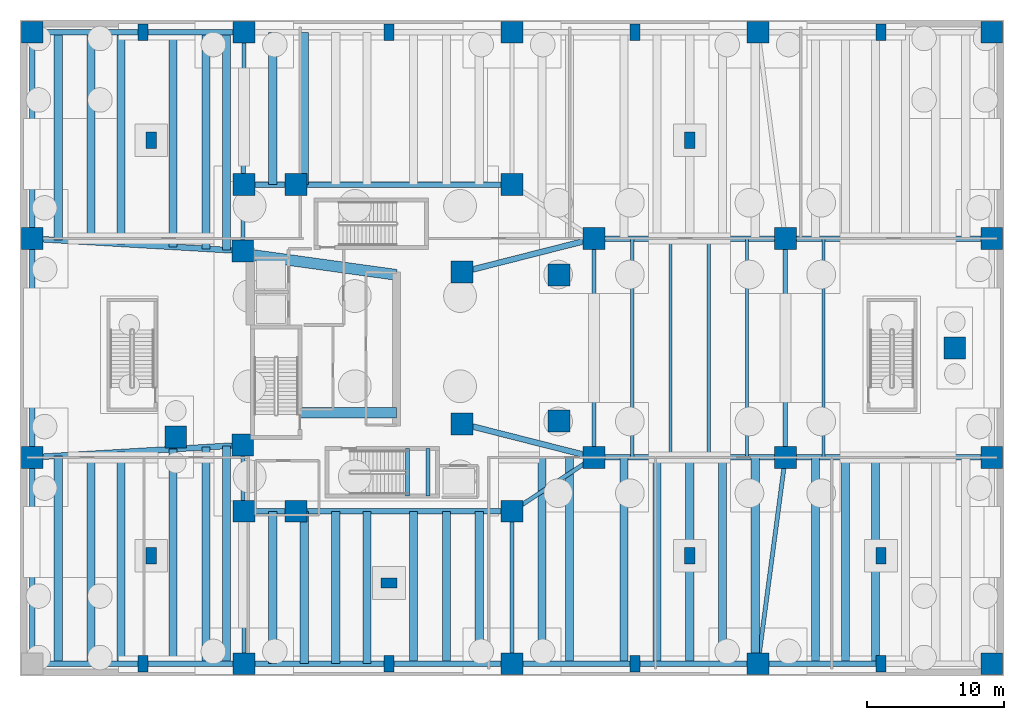
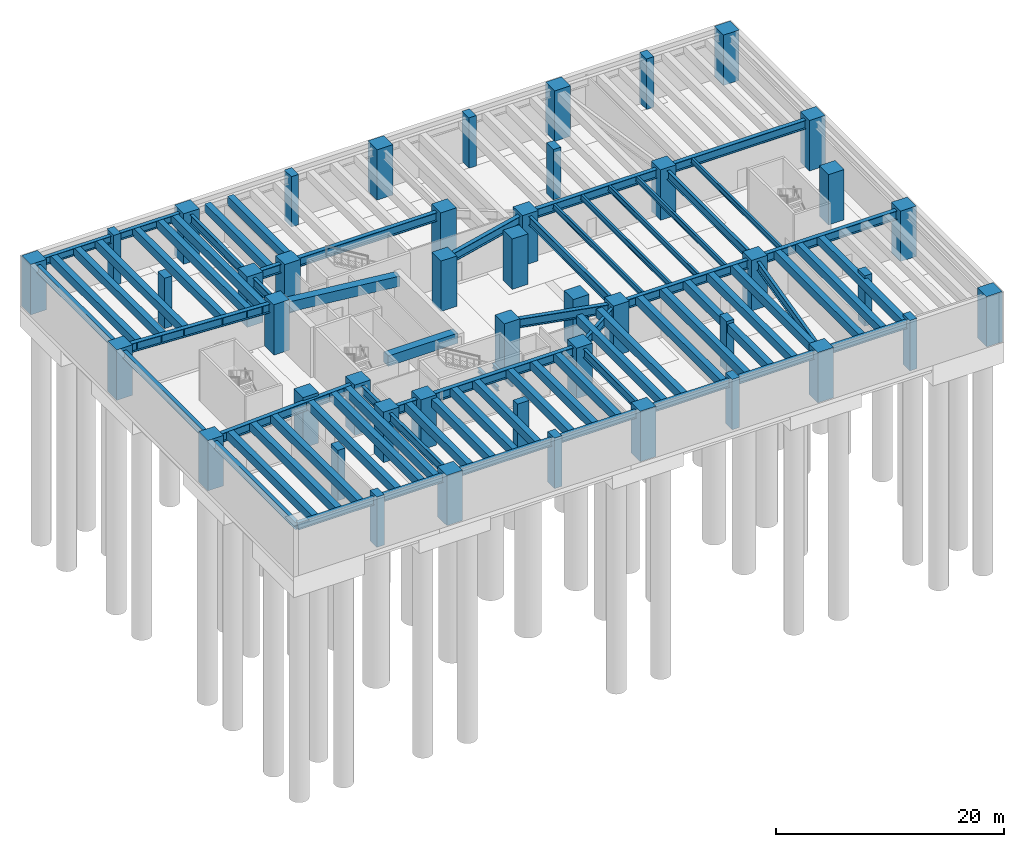
# One storey, part 2 of 10: 69 beams, 45 columns.
"""IFC4 building model written with IfcOpenShell, lengths in metres."""

from ifc_helpers import new_model, si_unit, direction, frame, origin, origin_2d, place, context, subcontext, project, spatial, rectangle, i_section, extrude, material, material_profile, profile_set, type_object, element, save


model = new_model("IFC4")

# Units and contexts
model_context = context("Model", 3, precision=1e-05, world=origin(), true_north=direction((0.0, 1.0)))
body_context = subcontext(model_context, "Body", "Model", "MODEL_VIEW")
ifc_project = project(units=[si_unit("LENGTHUNIT", "METRE"), si_unit("AREAUNIT", "SQUARE_METRE"), si_unit("VOLUMEUNIT", "CUBIC_METRE"), si_unit("PLANEANGLEUNIT", "RADIAN"), si_unit("MASSUNIT", "GRAM", prefix="KILO"), si_unit("THERMODYNAMICTEMPERATUREUNIT", "KELVIN"), si_unit("POWERUNIT", "WATT")], contexts=[model_context])

# Site, building, storey
site_placement = place(None, origin())
site = spatial("IfcSite", under=ifc_project, at=site_placement, CompositionType="ELEMENT")
building_placement = place(site_placement, origin())
building = spatial("IfcBuilding", under=site, at=building_placement, Name="Skarre Station Tower", CompositionType="ELEMENT")
storey_placement = place(building_placement, frame((0.0, 0.0, -10.199951171875)))
storey = spatial("IfcBuildingStorey", under=building, at=storey_placement, Name="B02", CompositionType="ELEMENT", Elevation=-10.199951171875)

# Columns
ifc_material_1 = material(Name="Concrete C60/75", Category="concrete")
ifc_material_profile_1 = material_profile(ifc_material_1, rectangle(XDim=0.75, YDim=1.199951171875, at=origin_2d()), Name="Concrete C60/75")
ifc_profile_set_1 = profile_set([ifc_material_profile_1], Name="Concrete C60/75")
column_type_1 = type_object("IfcColumnType", Name="RC Basement Pilaster RC-PIER-1200X750", PredefinedType="PILASTER", material=ifc_profile_set_1)
for number, where, z_axis, x_axis, name in (
    (1, (9.60009765625, 8.800048828125, 0.0), (0.0, 0.0, 1.0), (1.0, 0.0, 0.0), "B02 Basement Structural Pilaster 1"),
    (2, (9.60009765625, 39.199951171875, 0.0), (0.0, 0.0, 1.0), (1.0, 0.0, 0.0), "B02 Basement Structural Pilaster 2"),
    (3, (27.0, 6.800048828125, 0.0), (0.0, 0.0, 1.0), (0.0, 1.0, 0.0), "B02 Basement Structural Pilaster 3"),
    (4, (49.0, 8.800048828125, 0.0), (0.0, 0.0, 1.0), (1.0, 0.0, 0.0), "B02 Basement Structural Pilaster 4"),
    (5, (49.0, 39.199951171875, 0.0), (0.0, 0.0, 1.0), (1.0, 0.0, 0.0), "B02 Basement Structural Pilaster 5"),
    (6, (63.0, 8.800048828125, 0.0), (0.0, 0.0, 1.0), (1.0, 0.0, 0.0), "B02 Basement Structural Pilaster 6"),
):
    element("IfcColumn", number, at=place(storey_placement, frame(where, z_axis=z_axis, x_axis=x_axis)), inside=storey, type_object=column_type_1, Name=name, PredefinedType="PILASTER", context=body_context, shape_type="SweptSolid", body=[
        extrude(rectangle(XDim=0.75, YDim=1.199951171875, at=origin_2d()), origin(), (0.0, 0.0, 1.0), 5.39990234375),
    ])
ifc_material_2 = material(Name="Concrete C70/85", Category="concrete")
ifc_material_profile_2 = material_profile(ifc_material_2, rectangle(XDim=1.60009765625, YDim=1.60009765625, at=origin_2d()), Name="Concrete C70/85")
ifc_profile_set_2 = profile_set([ifc_material_profile_2], Name="Concrete C70/85")
column_type_2 = type_object("IfcColumnType", Name="RC Structural Column RC-COL-1600X1600", PredefinedType="COLUMN", material=ifc_profile_set_2)
for number, where, z_axis, x_axis, name in (
    (7, (16.300048828125, 16.89990234375, 0.0), (0.0, 0.0, 1.0), (1.0, 0.0, 0.0), "B02 Core Column CC-SW"),
    (8, (16.300048828125, 31.10009765625, 0.0), (0.0, 0.0, 1.0), (1.0, 0.0, 0.0), "B02 Core Column CC-NW"),
    (9, (32.35009765625, 18.449951171875, 0.0), (0.0, 0.0, 1.0), (1.0, 0.0, 0.0), "B02 Core Column CC-SE"),
    (10, (32.35009765625, 29.550048828125, 0.0), (0.0, 0.0, 1.0), (1.0, 0.0, 0.0), "B02 Core Column CC-NE"),
    (11, (71.10009765625, 0.89990234375, 0.0), (0.0, 0.0, 1.0), (1.0, 0.0, 0.0), "B02 Station Concourse Mega-Column PM02"),
    (12, (0.89990234375, 47.10009765625, 0.0), (0.0, 0.0, 1.0), (1.0, 0.0, 0.0), "B02 Station Concourse Mega-Column PM03"),
    (13, (71.10009765625, 47.10009765625, 0.0), (0.0, 0.0, 1.0), (1.0, 0.0, 0.0), "B02 Station Concourse Mega-Column PM04"),
    (14, (16.39990234375, 0.89990234375, 0.0), (0.0, 0.0, 1.0), (1.0, 0.0, 0.0), "B02 Station Concourse Mega-Column PM05"),
    (15, (36.0, 0.89990234375, 0.0), (0.0, 0.0, 1.0), (1.0, 0.0, 0.0), "B02 Station Concourse Mega-Column PM06"),
    (16, (54.0, 0.89990234375, 0.0), (0.0, 0.0, 1.0), (1.0, 0.0, 0.0), "B02 Station Concourse Mega-Column PM07"),
    (17, (16.39990234375, 47.10009765625, 0.0), (0.0, 0.0, 1.0), (1.0, 0.0, 0.0), "B02 Station Concourse Mega-Column PM08"),
    (18, (36.0, 47.10009765625, 0.0), (0.0, 0.0, 1.0), (1.0, 0.0, 0.0), "B02 Station Concourse Mega-Column PM09"),
    (19, (54.0, 47.10009765625, 0.0), (0.0, 0.0, 1.0), (1.0, 0.0, 0.0), "B02 Station Concourse Mega-Column PM10"),
    (20, (0.89990234375, 16.0, 0.0), (0.0, 0.0, 1.0), (1.0, 0.0, 0.0), "B02 Station Concourse Mega-Column PM11"),
    (21, (0.89990234375, 32.0, 0.0), (0.0, 0.0, 1.0), (1.0, 0.0, 0.0), "B02 Station Concourse Mega-Column PM12"),
    (22, (71.10009765625, 16.0, 0.0), (0.0, 0.0, 1.0), (1.0, 0.0, 0.0), "B02 Station Concourse Mega-Column PM13"),
    (23, (71.10009765625, 32.0, 0.0), (0.0, 0.0, 1.0), (1.0, 0.0, 0.0), "B02 Station Concourse Mega-Column PM14"),
    (24, (42.0, 16.0, 0.0), (0.0, 0.0, 1.0), (1.0, 0.0, 0.0), "B02 Station Concourse Mega-Column PM15"),
    (25, (42.0, 32.0, 0.0), (0.0, 0.0, 1.0), (1.0, 0.0, 0.0), "B02 Station Concourse Mega-Column PM16"),
    (26, (56.0, 16.0, 0.0), (0.0, 0.0, 1.0), (1.0, 0.0, 0.0), "B02 Station Concourse Mega-Column PM17"),
    (27, (56.0, 32.0, 0.0), (0.0, 0.0, 1.0), (1.0, 0.0, 0.0), "B02 Station Concourse Mega-Column PM18"),
    (28, (11.39990234375, 17.5, 0.0), (0.0, 0.0, 1.0), (1.0, 0.0, 0.0), "B02 Station Concourse Mega-Column PM19"),
    (29, (68.39990234375, 24.0, 0.0), (0.0, 0.0, 1.0), (1.0, 0.0, 0.0), "B02 Station Concourse Mega-Column PM20"),
    (30, (20.199951171875, 35.949951171875, 0.0), (0.0, 0.0, 1.0), (1.0, 0.0, 0.0), "B02 Station Concourse Mega-Column PM21"),
    (31, (20.199951171875, 12.050048828125, 0.0), (0.0, 0.0, 1.0), (1.0, 0.0, 0.0), "B02 Station Concourse Mega-Column PM22"),
    (32, (16.39990234375, 12.050048828125, 0.0), (0.0, 0.0, 1.0), (1.0, 0.0, 0.0), "B02 Station Concourse Mega-Column PM23"),
    (33, (36.0, 12.050048828125, 0.0), (0.0, 0.0, 1.0), (1.0, 0.0, 0.0), "B02 Station Concourse Mega-Column PM24"),
    (34, (16.39990234375, 35.949951171875, 0.0), (0.0, 0.0, 1.0), (1.0, 0.0, 0.0), "B02 Station Concourse Mega-Column PM25"),
    (35, (36.0, 35.949951171875, 0.0), (0.0, 0.0, 1.0), (1.0, 0.0, 0.0), "B02 Station Concourse Mega-Column PM26"),
    (36, (39.449951171875, 18.64990234375, 0.0), (0.0, 0.0, 1.0), (1.0, 0.0, 0.0), "B02 Station Concourse Mega-Column PM27"),
    (37, (39.449951171875, 29.35009765625, 0.0), (0.0, 0.0, 1.0), (1.0, 0.0, 0.0), "B02 Station Concourse Mega-Column PM28"),
):
    element("IfcColumn", number, at=place(storey_placement, frame(where, z_axis=z_axis, x_axis=x_axis)), inside=storey, type_object=column_type_2, Name=name, PredefinedType="COLUMN", context=body_context, shape_type="SweptSolid", body=[
        extrude(rectangle(XDim=1.60009765625, YDim=1.60009765625, at=origin_2d()), origin(), (0.0, 0.0, 1.0), 5.39990234375),
    ])
ifc_material_profile_3 = material_profile(ifc_material_1, rectangle(XDim=0.75, YDim=1.199951171875, at=origin_2d()), Name="Concrete C60/75")
ifc_profile_set_3 = profile_set([ifc_material_profile_3], Name="Concrete C60/75")
column_type_3 = type_object("IfcColumnType", Name="RC Structural Pilaster RC-PIER-1200X750", PredefinedType="PILASTER", material=ifc_profile_set_3)
for number, where, z_axis, x_axis, name in (
    (38, (9.0, 0.89990234375, 0.0), (0.0, 0.0, 1.0), (1.0, 0.0, 0.0), "B02 Concourse Facade Pilaster P1"),
    (39, (27.0, 0.89990234375, 0.0), (0.0, 0.0, 1.0), (1.0, 0.0, 0.0), "B02 Concourse Facade Pilaster P2"),
    (40, (45.0, 0.89990234375, 0.0), (0.0, 0.0, 1.0), (1.0, 0.0, 0.0), "B02 Concourse Facade Pilaster P3"),
    (41, (63.0, 0.89990234375, 0.0), (0.0, 0.0, 1.0), (1.0, 0.0, 0.0), "B02 Concourse Facade Pilaster P4"),
    (42, (9.0, 47.10009765625, 0.0), (0.0, 0.0, 1.0), (1.0, 0.0, 0.0), "B02 Concourse Facade Pilaster P5"),
    (43, (27.0, 47.10009765625, 0.0), (0.0, 0.0, 1.0), (1.0, 0.0, 0.0), "B02 Concourse Facade Pilaster P6"),
    (44, (45.0, 47.10009765625, 0.0), (0.0, 0.0, 1.0), (1.0, 0.0, 0.0), "B02 Concourse Facade Pilaster P7"),
    (45, (63.0, 47.10009765625, 0.0), (0.0, 0.0, 1.0), (1.0, 0.0, 0.0), "B02 Concourse Facade Pilaster P8"),
):
    element("IfcColumn", number, at=place(storey_placement, frame(where, z_axis=z_axis, x_axis=x_axis)), inside=storey, type_object=column_type_3, Name=name, PredefinedType="PILASTER", context=body_context, shape_type="SweptSolid", body=[
        extrude(rectangle(XDim=0.75, YDim=1.199951171875, at=origin_2d()), origin(), (0.0, 0.0, 1.0), 5.39990234375),
    ])

# Beams
ifc_material_profile_4 = material_profile(ifc_material_2, rectangle(XDim=0.800048828125, YDim=1.10009765625, at=origin_2d()), Name="Concrete C70/85")
ifc_profile_set_4 = profile_set([ifc_material_profile_4], Name="Concrete C70/85")
beam_type_1 = type_object("IfcBeamType", Name="RC Core Coupling Lintel 800x1100", PredefinedType="LINTEL", material=ifc_profile_set_4)
beam_1_placement = place(storey_placement, frame((20.489990234375, 19.260009765625, 4.5400390625), z_axis=(1.0, 0.0, 0.0), x_axis=(0.0, 1.0, 0.0)))
element("IfcBeam", 46, at=beam_1_placement, inside=storey, type_object=beam_type_1, Name="B02 South Core Coupling Lintel", PredefinedType="LINTEL", context=body_context, shape_type="SweptSolid", body=[
    extrude(rectangle(XDim=0.800048828125, YDim=1.10009765625, at=origin_2d()), origin(), (0.0, 0.0, 1.0), 7.06005859375),
])
beam_2_placement = place(storey_placement, frame((17.050048828125, 30.800048828125, 4.5400390625), z_axis=(0.990599723633, -0.136792498109, 0.0), x_axis=(0.136792498109, 0.990599723633, 0.0)))
element("IfcBeam", 47, at=beam_2_placement, inside=storey, type_object=beam_type_1, Name="B02 North Core Coupling Lintel", PredefinedType="LINTEL", context=body_context, shape_type="SweptSolid", body=[
    extrude(rectangle(XDim=0.800048828125, YDim=1.10009765625, at=origin_2d()), origin(), (0.0, 0.0, 1.0), 10.599609375),
])
ifc_material_3 = material(Name="Concrete C50/60", Category="concrete")
ifc_material_profile_5 = material_profile(ifc_material_3, rectangle(XDim=0.60009765625, YDim=0.89990234375, at=origin_2d()), Name="Concrete C50/60")
ifc_profile_set_5 = profile_set([ifc_material_profile_5], Name="Concrete C50/60")
beam_type_2 = type_object("IfcBeamType", Name="RC Podium Girder 600x900", PredefinedType="BEAM", material=ifc_profile_set_5)
for number, where, z_axis, x_axis, name in (
    (48, (2.800048828125, 0.89990234375, 4.639892578125), (0.0, 1.0, 0.0), (-1.0, 0.0, 0.0), "B02 South Bay Joist 1"),
    (49, (2.800048828125, 31.888916015625, 4.639892578125), (0.0, 1.0, 0.0), (-1.0, 0.0, 0.0), "B02 North Bay Joist 1"),
):
    element("IfcBeam", number, at=place(storey_placement, frame(where, z_axis=z_axis, x_axis=x_axis)), inside=storey, type_object=beam_type_2, Name=name, PredefinedType="BEAM", context=body_context, shape_type="SweptSolid", body=[
        extrude(rectangle(XDim=0.60009765625, YDim=0.89990234375, at=origin_2d()), origin(), (0.0, 0.0, 1.0), 15.211181640625),
    ])
for number, where, z_axis, x_axis, name in (
    (50, (5.199951171875, 0.89990234375, 4.639892578125), (0.0, 1.0, 0.0), (-1.0, 0.0, 0.0), "B02 South Bay Joist 2"),
    (51, (5.199951171875, 31.7490234375, 4.639892578125), (0.0, 1.0, 0.0), (-1.0, 0.0, 0.0), "B02 North Bay Joist 2"),
):
    element("IfcBeam", number, at=place(storey_placement, frame(where, z_axis=z_axis, x_axis=x_axis)), inside=storey, type_object=beam_type_2, Name=name, PredefinedType="BEAM", context=body_context, shape_type="SweptSolid", body=[
        extrude(rectangle(XDim=0.60009765625, YDim=0.89990234375, at=origin_2d()), origin(), (0.0, 0.0, 1.0), 15.35107421875),
    ])
for number, where, z_axis, x_axis, name in (
    (52, (7.39990234375, 0.89990234375, 4.639892578125), (0.0, 1.0, 0.0), (-1.0, 0.0, 0.0), "B02 South Bay Joist 3"),
    (53, (7.39990234375, 31.6201171875, 4.639892578125), (0.0, 1.0, 0.0), (-1.0, 0.0, 0.0), "B02 North Bay Joist 3"),
):
    element("IfcBeam", number, at=place(storey_placement, frame(where, z_axis=z_axis, x_axis=x_axis)), inside=storey, type_object=beam_type_2, Name=name, PredefinedType="BEAM", context=body_context, shape_type="SweptSolid", body=[
        extrude(rectangle(XDim=0.60009765625, YDim=0.89990234375, at=origin_2d()), origin(), (0.0, 0.0, 1.0), 15.47998046875),
    ])
for number, where, z_axis, x_axis, name in (
    (54, (11.199951171875, 0.89990234375, 4.639892578125), (0.0, 1.0, 0.0), (-1.0, 0.0, 0.0), "B02 South Bay Joist 4"),
    (55, (11.199951171875, 31.39794921875, 4.639892578125), (0.0, 1.0, 0.0), (-1.0, 0.0, 0.0), "B02 North Bay Joist 4"),
):
    element("IfcBeam", number, at=place(storey_placement, frame(where, z_axis=z_axis, x_axis=x_axis)), inside=storey, type_object=beam_type_2, Name=name, PredefinedType="BEAM", context=body_context, shape_type="SweptSolid", body=[
        extrude(rectangle(XDim=0.60009765625, YDim=0.89990234375, at=origin_2d()), origin(), (0.0, 0.0, 1.0), 15.7021484375),
    ])
for number, where, z_axis, x_axis, name in (
    (56, (13.60009765625, 0.89990234375, 4.639892578125), (0.0, 1.0, 0.0), (-1.0, 0.0, 0.0), "B02 South Bay Joist 5"),
    (57, (13.60009765625, 31.258056640625, 4.639892578125), (0.0, 1.0, 0.0), (-1.0, 0.0, 0.0), "B02 North Bay Joist 5"),
):
    element("IfcBeam", number, at=place(storey_placement, frame(where, z_axis=z_axis, x_axis=x_axis)), inside=storey, type_object=beam_type_2, Name=name, PredefinedType="BEAM", context=body_context, shape_type="SweptSolid", body=[
        extrude(rectangle(XDim=0.60009765625, YDim=0.89990234375, at=origin_2d()), origin(), (0.0, 0.0, 1.0), 15.842041015625),
    ])
for number, where, z_axis, x_axis, name in (
    (58, (15.10009765625, 0.89990234375, 4.639892578125), (0.0, 1.0, 0.0), (-1.0, 0.0, 0.0), "B02 South Bay Joist 6"),
    (59, (15.10009765625, 31.169921875, 4.639892578125), (0.0, 1.0, 0.0), (-1.0, 0.0, 0.0), "B02 North Bay Joist 6"),
):
    element("IfcBeam", number, at=place(storey_placement, frame(where, z_axis=z_axis, x_axis=x_axis)), inside=storey, type_object=beam_type_2, Name=name, PredefinedType="BEAM", context=body_context, shape_type="SweptSolid", body=[
        extrude(rectangle(XDim=0.60009765625, YDim=0.89990234375, at=origin_2d()), origin(), (0.0, 0.0, 1.0), 15.93017578125),
    ])
for number, where, z_axis, x_axis, name in (
    (60, (18.5, 0.89990234375, 4.639892578125), (0.0, 1.0, 0.0), (-1.0, 0.0, 0.0), "B02 South Bay Joist 7"),
    (61, (18.5, 35.949951171875, 4.639892578125), (0.0, 1.0, 0.0), (-1.0, 0.0, 0.0), "B02 North Bay Joist 7"),
    (62, (20.800048828125, 0.89990234375, 4.639892578125), (0.0, 1.0, 0.0), (-1.0, 0.0, 0.0), "B02 South Bay Joist 8"),
    (63, (20.800048828125, 35.949951171875, 4.639892578125), (0.0, 1.0, 0.0), (-1.0, 0.0, 0.0), "B02 North Bay Joist 8"),
    (64, (23.10009765625, 0.89990234375, 4.639892578125), (0.0, 1.0, 0.0), (-1.0, 0.0, 0.0), "B02 South Bay Joist 9"),
    (65, (25.39990234375, 0.89990234375, 4.639892578125), (0.0, 1.0, 0.0), (-1.0, 0.0, 0.0), "B02 South Bay Joist 10"),
    (66, (28.800048828125, 0.89990234375, 4.639892578125), (0.0, 1.0, 0.0), (-1.0, 0.0, 0.0), "B02 South Bay Joist 11"),
    (67, (31.199951171875, 0.89990234375, 4.639892578125), (0.0, 1.0, 0.0), (-1.0, 0.0, 0.0), "B02 South Bay Joist 12"),
    (68, (33.60009765625, 0.89990234375, 4.639892578125), (0.0, 1.0, 0.0), (-1.0, 0.0, 0.0), "B02 South Bay Joist 13"),
):
    element("IfcBeam", number, at=place(storey_placement, frame(where, z_axis=z_axis, x_axis=x_axis)), inside=storey, type_object=beam_type_2, Name=name, PredefinedType="BEAM", context=body_context, shape_type="SweptSolid", body=[
        extrude(rectangle(XDim=0.60009765625, YDim=0.89990234375, at=origin_2d()), origin(), (0.0, 0.0, 1.0), 11.150146484375),
    ])
for number, where, z_axis, x_axis, name in (
    (69, (38.199951171875, 0.89990234375, 4.639892578125), (0.0, 1.0, 0.0), (-1.0, 0.0, 0.0), "B02 South Bay Joist 14"),
    (70, (40.199951171875, 0.89990234375, 4.639892578125), (0.0, 1.0, 0.0), (-1.0, 0.0, 0.0), "B02 South Bay Joist 15"),
    (71, (44.199951171875, 0.89990234375, 4.639892578125), (0.0, 1.0, 0.0), (-1.0, 0.0, 0.0), "B02 South Bay Joist 16"),
    (72, (46.60009765625, 0.89990234375, 4.639892578125), (0.0, 1.0, 0.0), (-1.0, 0.0, 0.0), "B02 South Bay Joist 17"),
    (73, (49.0, 0.89990234375, 4.639892578125), (0.0, 1.0, 0.0), (-1.0, 0.0, 0.0), "B02 South Bay Joist 18"),
    (74, (51.39990234375, 0.89990234375, 4.639892578125), (0.0, 1.0, 0.0), (-1.0, 0.0, 0.0), "B02 South Bay Joist 19"),
    (75, (53.800048828125, 0.89990234375, 4.639892578125), (0.0, 1.0, 0.0), (-1.0, 0.0, 0.0), "B02 South Bay Joist 20"),
    (76, (58.199951171875, 0.89990234375, 4.639892578125), (0.0, 1.0, 0.0), (-1.0, 0.0, 0.0), "B02 South Bay Joist 21"),
    (77, (60.39990234375, 0.89990234375, 4.639892578125), (0.0, 1.0, 0.0), (-1.0, 0.0, 0.0), "B02 South Bay Joist 22"),
    (78, (62.60009765625, 0.89990234375, 4.639892578125), (0.0, 1.0, 0.0), (-1.0, 0.0, 0.0), "B02 South Bay Joist 23"),
):
    element("IfcBeam", number, at=place(storey_placement, frame(where, z_axis=z_axis, x_axis=x_axis)), inside=storey, type_object=beam_type_2, Name=name, PredefinedType="BEAM", context=body_context, shape_type="SweptSolid", body=[
        extrude(rectangle(XDim=0.60009765625, YDim=0.89990234375, at=origin_2d()), origin(), (0.0, 0.0, 1.0), 15.10009765625),
    ])
ifc_material_4 = material(Name="Steel ASTM A992 Grade 50", Category="steel")
ifc_material_profile_6 = material_profile(ifc_material_4, i_section(OverallWidth=0.30810546875, OverallDepth=0.927001953125, WebThickness=0.01904296875, FlangeThickness=0.031982421875, at=origin_2d()), Name="Steel ASTM A992 Grade 50")
ifc_profile_set_6 = profile_set([ifc_material_profile_6], Name="Steel ASTM A992 Grade 50")
beam_type_3 = type_object("IfcBeamType", Name="Steel Beam W36X194", PredefinedType="BEAM", material=ifc_profile_set_6)
for number, where, z_axis, x_axis, name in (
    (79, (16.39990234375, 0.89990234375, 4.6259765625), (-0.006240723195, 0.999980526497, 0.0), (-0.999980526497, -0.006240723195, 0.0), "B02 Concourse Transverse Girder NS1"),
    (80, (16.300048828125, 31.10009765625, 4.6259765625), (0.006240723195, 0.999980526497, 0.0), (-0.999980526497, 0.006240723195, 0.0), "B02 Concourse Transverse Girder NS2"),
):
    element("IfcBeam", number, at=place(storey_placement, frame(where, z_axis=z_axis, x_axis=x_axis)), inside=storey, type_object=beam_type_3, Name=name, PredefinedType="BEAM", context=body_context, shape_type="SweptSolid", body=[
        extrude(i_section(OverallWidth=0.30810546875, OverallDepth=0.927001953125, WebThickness=0.01904296875, FlangeThickness=0.031982421875, at=origin_2d()), origin(), (0.0, 0.0, 1.0), 16.000244140625),
    ])
beam_3_placement = place(storey_placement, frame((36.0, 0.89990234375, 4.6259765625), z_axis=(0.0, 1.0, 0.0), x_axis=(-1.0, 0.0, 0.0)))
element("IfcBeam", 81, at=beam_3_placement, inside=storey, type_object=beam_type_3, Name="B02 Concourse Transverse Girder NS3", PredefinedType="BEAM", context=body_context, shape_type="SweptSolid", body=[
    extrude(i_section(OverallWidth=0.30810546875, OverallDepth=0.927001953125, WebThickness=0.01904296875, FlangeThickness=0.031982421875, at=origin_2d()), origin(), (0.0, 0.0, 1.0), 11.150146484375),
])
beam_4_placement = place(storey_placement, frame((36.0, 12.050048828125, 4.6259765625), z_axis=(0.835251957938, 0.549867408345, 0.0), x_axis=(-0.549867408345, 0.835251957938, 0.0)))
element("IfcBeam", 82, at=beam_4_placement, inside=storey, type_object=beam_type_3, Name="B02 Concourse Transverse Girder NS3B", PredefinedType="BEAM", context=body_context, shape_type="SweptSolid", body=[
    extrude(i_section(OverallWidth=0.30810546875, OverallDepth=0.927001953125, WebThickness=0.01904296875, FlangeThickness=0.031982421875, at=origin_2d()), origin(), (0.0, 0.0, 1.0), 7.183349609375),
])
beam_5_placement = place(storey_placement, frame((42.0, 16.0, 4.6259765625), z_axis=(0.0, 1.0, 0.0), x_axis=(-1.0, 0.0, 0.0)))
element("IfcBeam", 83, at=beam_5_placement, inside=storey, type_object=beam_type_3, Name="B02 Concourse Transverse Girder NS4", PredefinedType="BEAM", context=body_context, shape_type="SweptSolid", body=[
    extrude(i_section(OverallWidth=0.30810546875, OverallDepth=0.927001953125, WebThickness=0.01904296875, FlangeThickness=0.031982421875, at=origin_2d()), origin(), (0.0, 0.0, 1.0), 16.0),
])
beam_6_placement = place(storey_placement, frame((54.0, 0.89990234375, 4.6259765625), z_axis=(0.131302768537, 0.991342313721, 0.0), x_axis=(-0.991342313721, 0.131302768537, 0.0)))
element("IfcBeam", 84, at=beam_6_placement, inside=storey, type_object=beam_type_3, Name="B02 Concourse Transverse Girder NS6", PredefinedType="BEAM", context=body_context, shape_type="SweptSolid", body=[
    extrude(i_section(OverallWidth=0.30810546875, OverallDepth=0.927001953125, WebThickness=0.01904296875, FlangeThickness=0.031982421875, at=origin_2d()), origin(), (0.0, 0.0, 1.0), 15.23193359375),
])
beam_7_placement = place(storey_placement, frame((56.0, 16.0, 4.6259765625), z_axis=(0.0, 1.0, 0.0), x_axis=(-1.0, 0.0, 0.0)))
element("IfcBeam", 85, at=beam_7_placement, inside=storey, type_object=beam_type_3, Name="B02 Concourse Transverse Girder NS7", PredefinedType="BEAM", context=body_context, shape_type="SweptSolid", body=[
    extrude(i_section(OverallWidth=0.30810546875, OverallDepth=0.927001953125, WebThickness=0.01904296875, FlangeThickness=0.031982421875, at=origin_2d()), origin(), (0.0, 0.0, 1.0), 16.0),
])
ifc_material_profile_7 = material_profile(ifc_material_4, i_section(OverallWidth=0.423095703125, OverallDepth=0.947998046875, WebThickness=0.02392578125, FlangeThickness=0.04296875, at=origin_2d()), Name="Steel ASTM A992 Grade 50")
ifc_profile_set_7 = profile_set([ifc_material_profile_7], Name="Steel ASTM A992 Grade 50")
beam_type_4 = type_object("IfcBeamType", Name="Steel Beam W36X302", PredefinedType="BEAM", material=ifc_profile_set_7)
beam_8_placement = place(storey_placement, frame((0.89990234375, 16.0, 4.615966796875), z_axis=(0.99829705511, 0.05833515029, 0.0), x_axis=(-0.05833515029, 0.99829705511, 0.0)))
element("IfcBeam", 86, at=beam_8_placement, inside=storey, type_object=beam_type_4, Name="B02 Concourse Primary Girder EW1", PredefinedType="BEAM", context=body_context, shape_type="SweptSolid", body=[
    extrude(i_section(OverallWidth=0.423095703125, OverallDepth=0.947998046875, WebThickness=0.02392578125, FlangeThickness=0.04296875, at=origin_2d()), origin(), (0.0, 0.0, 1.0), 15.426513671875),
])
beam_9_placement = place(storey_placement, frame((32.35009765625, 18.449951171875, 4.615966796875), z_axis=(0.969250360418, -0.246076692982, 0.0), x_axis=(0.246076692982, 0.969250360418, 0.0)))
element("IfcBeam", 87, at=beam_9_placement, inside=storey, type_object=beam_type_4, Name="B02 Concourse Primary Girder EW2", PredefinedType="BEAM", context=body_context, shape_type="SweptSolid", body=[
    extrude(i_section(OverallWidth=0.423095703125, OverallDepth=0.947998046875, WebThickness=0.02392578125, FlangeThickness=0.04296875, at=origin_2d()), origin(), (0.0, 0.0, 1.0), 9.9560546875),
])
beam_10_placement = place(storey_placement, frame((42.0, 16.0, 4.615966796875), z_axis=(1.0, 0.0, 0.0), x_axis=(0.0, 1.0, 0.0)))
element("IfcBeam", 88, at=beam_10_placement, inside=storey, type_object=beam_type_4, Name="B02 Concourse Primary Girder EW3", PredefinedType="BEAM", context=body_context, shape_type="SweptSolid", body=[
    extrude(i_section(OverallWidth=0.423095703125, OverallDepth=0.947998046875, WebThickness=0.02392578125, FlangeThickness=0.04296875, at=origin_2d()), origin(), (0.0, 0.0, 1.0), 14.0),
])
beam_11_placement = place(storey_placement, frame((56.0, 16.0, 4.615966796875), z_axis=(1.0, 0.0, 0.0), x_axis=(0.0, 1.0, 0.0)))
element("IfcBeam", 89, at=beam_11_placement, inside=storey, type_object=beam_type_4, Name="B02 Concourse Primary Girder EW4", PredefinedType="BEAM", context=body_context, shape_type="SweptSolid", body=[
    extrude(i_section(OverallWidth=0.423095703125, OverallDepth=0.947998046875, WebThickness=0.02392578125, FlangeThickness=0.04296875, at=origin_2d()), origin(), (0.0, 0.0, 1.0), 15.10009765625),
])
beam_12_placement = place(storey_placement, frame((0.89990234375, 32.0, 4.615966796875), z_axis=(0.99829705511, -0.05833515029, 0.0), x_axis=(0.05833515029, 0.99829705511, 0.0)))
element("IfcBeam", 90, at=beam_12_placement, inside=storey, type_object=beam_type_4, Name="B02 Concourse Primary Girder EW5", PredefinedType="BEAM", context=body_context, shape_type="SweptSolid", body=[
    extrude(i_section(OverallWidth=0.423095703125, OverallDepth=0.947998046875, WebThickness=0.02392578125, FlangeThickness=0.04296875, at=origin_2d()), origin(), (0.0, 0.0, 1.0), 15.426513671875),
])
beam_13_placement = place(storey_placement, frame((32.35009765625, 29.550048828125, 4.615966796875), z_axis=(0.969250360418, 0.246076692982, 0.0), x_axis=(-0.246076692982, 0.969250360418, 0.0)))
element("IfcBeam", 91, at=beam_13_placement, inside=storey, type_object=beam_type_4, Name="B02 Concourse Primary Girder EW6", PredefinedType="BEAM", context=body_context, shape_type="SweptSolid", body=[
    extrude(i_section(OverallWidth=0.423095703125, OverallDepth=0.947998046875, WebThickness=0.02392578125, FlangeThickness=0.04296875, at=origin_2d()), origin(), (0.0, 0.0, 1.0), 9.9560546875),
])
beam_14_placement = place(storey_placement, frame((42.0, 32.0, 4.615966796875), z_axis=(1.0, 0.0, 0.0), x_axis=(0.0, 1.0, 0.0)))
element("IfcBeam", 92, at=beam_14_placement, inside=storey, type_object=beam_type_4, Name="B02 Concourse Primary Girder EW7", PredefinedType="BEAM", context=body_context, shape_type="SweptSolid", body=[
    extrude(i_section(OverallWidth=0.423095703125, OverallDepth=0.947998046875, WebThickness=0.02392578125, FlangeThickness=0.04296875, at=origin_2d()), origin(), (0.0, 0.0, 1.0), 14.0),
])
beam_15_placement = place(storey_placement, frame((56.0, 32.0, 4.615966796875), z_axis=(1.0, 0.0, 0.0), x_axis=(0.0, 1.0, 0.0)))
element("IfcBeam", 93, at=beam_15_placement, inside=storey, type_object=beam_type_4, Name="B02 Concourse Primary Girder EW8", PredefinedType="BEAM", context=body_context, shape_type="SweptSolid", body=[
    extrude(i_section(OverallWidth=0.423095703125, OverallDepth=0.947998046875, WebThickness=0.02392578125, FlangeThickness=0.04296875, at=origin_2d()), origin(), (0.0, 0.0, 1.0), 15.10009765625),
])
for number, where, z_axis, x_axis, name in (
    (94, (16.39990234375, 12.050048828125, 4.615966796875), (1.0, 0.0, 0.0), (0.0, 1.0, 0.0), "B02 Concourse Primary Girder HDRS"),
    (95, (16.39990234375, 35.949951171875, 4.615966796875), (1.0, 0.0, 0.0), (0.0, 1.0, 0.0), "B02 Concourse Primary Girder HDRN"),
):
    element("IfcBeam", number, at=place(storey_placement, frame(where, z_axis=z_axis, x_axis=x_axis)), inside=storey, type_object=beam_type_4, Name=name, PredefinedType="BEAM", context=body_context, shape_type="SweptSolid", body=[
        extrude(i_section(OverallWidth=0.423095703125, OverallDepth=0.947998046875, WebThickness=0.02392578125, FlangeThickness=0.04296875, at=origin_2d()), origin(), (0.0, 0.0, 1.0), 19.60009765625),
    ])
ifc_material_profile_8 = material_profile(ifc_material_4, i_section(OverallWidth=0.280029296875, OverallDepth=0.462890625, WebThickness=0.010986328125, FlangeThickness=0.01708984375, at=origin_2d()), Name="Steel ASTM A992 Grade 50")
ifc_profile_set_8 = profile_set([ifc_material_profile_8], Name="Steel ASTM A992 Grade 50")
beam_type_5 = type_object("IfcBeamType", Name="Steel Joist W18X76", PredefinedType="JOIST", material=ifc_profile_set_8)
for number, where, z_axis, x_axis, name in (
    (96, (28.35009765625, 13.159912109375, 2.26904296875), (0.0, 1.0, 0.0), (-1.0, 0.0, 0.0), "B02 Stair ST-2 Mid-Landing Support Beam 1"),
    (97, (29.85009765625, 13.159912109375, 2.218994140625), (0.0, 1.0, 0.0), (-1.0, 0.0, 0.0), "B02 Stair ST-2 Mid-Landing Support Beam 2"),
):
    element("IfcBeam", number, at=place(storey_placement, frame(where, z_axis=z_axis, x_axis=x_axis)), inside=storey, type_object=beam_type_5, Name=name, PredefinedType="JOIST", context=body_context, shape_type="SweptSolid", body=[
        extrude(i_section(OverallWidth=0.280029296875, OverallDepth=0.462890625, WebThickness=0.010986328125, FlangeThickness=0.01708984375, at=origin_2d()), origin(), (0.0, 0.0, 1.0), 3.47998046875),
    ])
ifc_material_profile_9 = material_profile(ifc_material_4, i_section(OverallWidth=0.22802734375, OverallDepth=0.60791015625, WebThickness=0.010986328125, FlangeThickness=0.01708984375, at=origin_2d()), Name="Steel ASTM A992 Grade 50")
ifc_profile_set_9 = profile_set([ifc_material_profile_9], Name="Steel ASTM A992 Grade 50")
beam_type_6 = type_object("IfcBeamType", Name="Steel Joist W24X76", PredefinedType="JOIST", material=ifc_profile_set_9)
for number, where, z_axis, x_axis, name in (
    (98, (44.800048828125, 16.0, 4.785888671875), (0.0, 1.0, 0.0), (-1.0, 0.0, 0.0), "B02 Central Concourse Joist 1"),
    (99, (47.60009765625, 16.0, 4.785888671875), (0.0, 1.0, 0.0), (-1.0, 0.0, 0.0), "B02 Central Concourse Joist 2"),
    (100, (50.39990234375, 16.0, 4.785888671875), (0.0, 1.0, 0.0), (-1.0, 0.0, 0.0), "B02 Central Concourse Joist 3"),
    (101, (53.199951171875, 16.0, 4.785888671875), (0.0, 1.0, 0.0), (-1.0, 0.0, 0.0), "B02 Central Concourse Joist 4"),
    (102, (58.800048828125, 16.0, 4.785888671875), (0.0, 1.0, 0.0), (-1.0, 0.0, 0.0), "B02 Central Concourse Joist 5"),
):
    element("IfcBeam", number, at=place(storey_placement, frame(where, z_axis=z_axis, x_axis=x_axis)), inside=storey, type_object=beam_type_6, Name=name, PredefinedType="JOIST", context=body_context, shape_type="SweptSolid", body=[
        extrude(i_section(OverallWidth=0.22802734375, OverallDepth=0.60791015625, WebThickness=0.010986328125, FlangeThickness=0.01708984375, at=origin_2d()), origin(), (0.0, 0.0, 1.0), 16.0),
    ])
ifc_material_profile_10 = material_profile(ifc_material_4, i_section(OverallWidth=0.384033203125, OverallDepth=0.785888671875, WebThickness=0.02001953125, FlangeThickness=0.032958984375, at=origin_2d()), Name="Steel ASTM A992 Grade 50")
ifc_profile_set_10 = profile_set([ifc_material_profile_10], Name="Steel ASTM A992 Grade 50")
beam_type_7 = type_object("IfcBeamType", Name="Steel Spandrel W30X211", PredefinedType="SPANDREL", material=ifc_profile_set_10)
for number, where, z_axis, x_axis, name in (
    (103, (0.89990234375, 0.89990234375, 4.697021484375), (1.0, 0.0, 0.0), (0.0, 1.0, 0.0), "B02 South Podium Spandrel 1"),
    (104, (0.89990234375, 47.10009765625, 4.697021484375), (1.0, 0.0, 0.0), (0.0, 1.0, 0.0), "B02 North Podium Spandrel 1"),
):
    element("IfcBeam", number, at=place(storey_placement, frame(where, z_axis=z_axis, x_axis=x_axis)), inside=storey, type_object=beam_type_7, Name=name, PredefinedType="SPANDREL", context=body_context, shape_type="SweptSolid", body=[
        extrude(i_section(OverallWidth=0.384033203125, OverallDepth=0.785888671875, WebThickness=0.02001953125, FlangeThickness=0.032958984375, at=origin_2d()), origin(), (0.0, 0.0, 1.0), 8.10009765625),
    ])
for number, where, z_axis, x_axis, name in (
    (105, (9.0, 0.89990234375, 4.697021484375), (1.0, 0.0, 0.0), (0.0, 1.0, 0.0), "B02 South Podium Spandrel 2"),
    (106, (9.0, 47.10009765625, 4.697021484375), (1.0, 0.0, 0.0), (0.0, 1.0, 0.0), "B02 North Podium Spandrel 2"),
):
    element("IfcBeam", number, at=place(storey_placement, frame(where, z_axis=z_axis, x_axis=x_axis)), inside=storey, type_object=beam_type_7, Name=name, PredefinedType="SPANDREL", context=body_context, shape_type="SweptSolid", body=[
        extrude(i_section(OverallWidth=0.384033203125, OverallDepth=0.785888671875, WebThickness=0.02001953125, FlangeThickness=0.032958984375, at=origin_2d()), origin(), (0.0, 0.0, 1.0), 7.39990234375),
    ])
beam_16_placement = place(storey_placement, frame((16.39990234375, 0.89990234375, 4.697021484375), z_axis=(1.0, 0.0, 0.0), x_axis=(0.0, 1.0, 0.0)))
element("IfcBeam", 107, at=beam_16_placement, inside=storey, type_object=beam_type_7, Name="B02 South Podium Spandrel 3", PredefinedType="SPANDREL", context=body_context, shape_type="SweptSolid", body=[
    extrude(i_section(OverallWidth=0.384033203125, OverallDepth=0.785888671875, WebThickness=0.02001953125, FlangeThickness=0.032958984375, at=origin_2d()), origin(), (0.0, 0.0, 1.0), 10.60009765625),
])
for number, where, z_axis, x_axis, name in (
    (108, (27.0, 0.89990234375, 4.697021484375), (1.0, 0.0, 0.0), (0.0, 1.0, 0.0), "B02 South Podium Spandrel 4"),
    (109, (36.0, 0.89990234375, 4.697021484375), (1.0, 0.0, 0.0), (0.0, 1.0, 0.0), "B02 South Podium Spandrel 5"),
    (110, (45.0, 0.89990234375, 4.697021484375), (1.0, 0.0, 0.0), (0.0, 1.0, 0.0), "B02 South Podium Spandrel 6"),
    (111, (54.0, 0.89990234375, 4.697021484375), (1.0, 0.0, 0.0), (0.0, 1.0, 0.0), "B02 South Podium Spandrel 7"),
):
    element("IfcBeam", number, at=place(storey_placement, frame(where, z_axis=z_axis, x_axis=x_axis)), inside=storey, type_object=beam_type_7, Name=name, PredefinedType="SPANDREL", context=body_context, shape_type="SweptSolid", body=[
        extrude(i_section(OverallWidth=0.384033203125, OverallDepth=0.785888671875, WebThickness=0.02001953125, FlangeThickness=0.032958984375, at=origin_2d()), origin(), (0.0, 0.0, 1.0), 9.0),
    ])
beam_17_placement = place(storey_placement, frame((0.89990234375, 0.89990234375, 4.697021484375), z_axis=(0.0, 1.0, 0.0), x_axis=(-1.0, 0.0, 0.0)))
element("IfcBeam", 112, at=beam_17_placement, inside=storey, type_object=beam_type_7, Name="B02 West Podium Spandrel 1", PredefinedType="SPANDREL", context=body_context, shape_type="SweptSolid", body=[
    extrude(i_section(OverallWidth=0.384033203125, OverallDepth=0.785888671875, WebThickness=0.02001953125, FlangeThickness=0.032958984375, at=origin_2d()), origin(), (0.0, 0.0, 1.0), 15.10009765625),
])
beam_18_placement = place(storey_placement, frame((0.89990234375, 16.0, 4.697021484375), z_axis=(0.0, 1.0, 0.0), x_axis=(-1.0, 0.0, 0.0)))
element("IfcBeam", 113, at=beam_18_placement, inside=storey, type_object=beam_type_7, Name="B02 West Podium Spandrel 2", PredefinedType="SPANDREL", context=body_context, shape_type="SweptSolid", body=[
    extrude(i_section(OverallWidth=0.384033203125, OverallDepth=0.785888671875, WebThickness=0.02001953125, FlangeThickness=0.032958984375, at=origin_2d()), origin(), (0.0, 0.0, 1.0), 16.0),
])
beam_19_placement = place(storey_placement, frame((0.89990234375, 32.0, 4.697021484375), z_axis=(0.0, 1.0, 0.0), x_axis=(-1.0, 0.0, 0.0)))
element("IfcBeam", 114, at=beam_19_placement, inside=storey, type_object=beam_type_7, Name="B02 West Podium Spandrel 3", PredefinedType="SPANDREL", context=body_context, shape_type="SweptSolid", body=[
    extrude(i_section(OverallWidth=0.384033203125, OverallDepth=0.785888671875, WebThickness=0.02001953125, FlangeThickness=0.032958984375, at=origin_2d()), origin(), (0.0, 0.0, 1.0), 15.10009765625),
])

save(model, "model.ifc")
